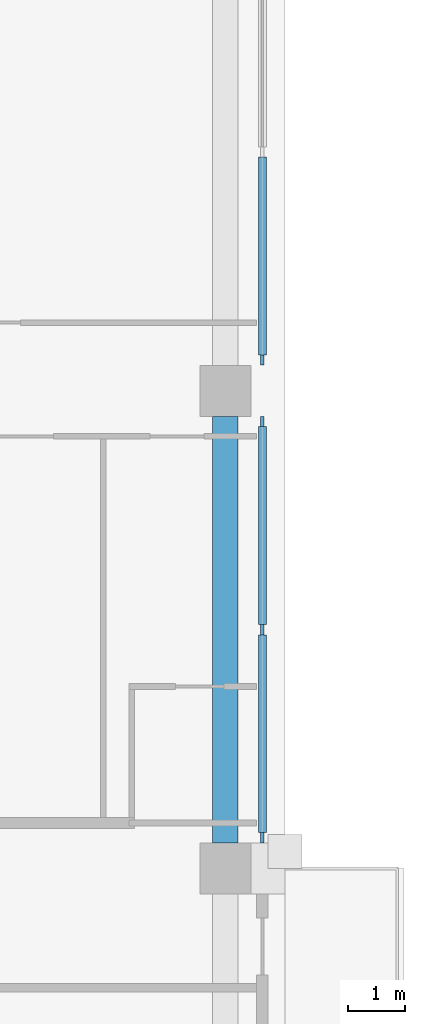
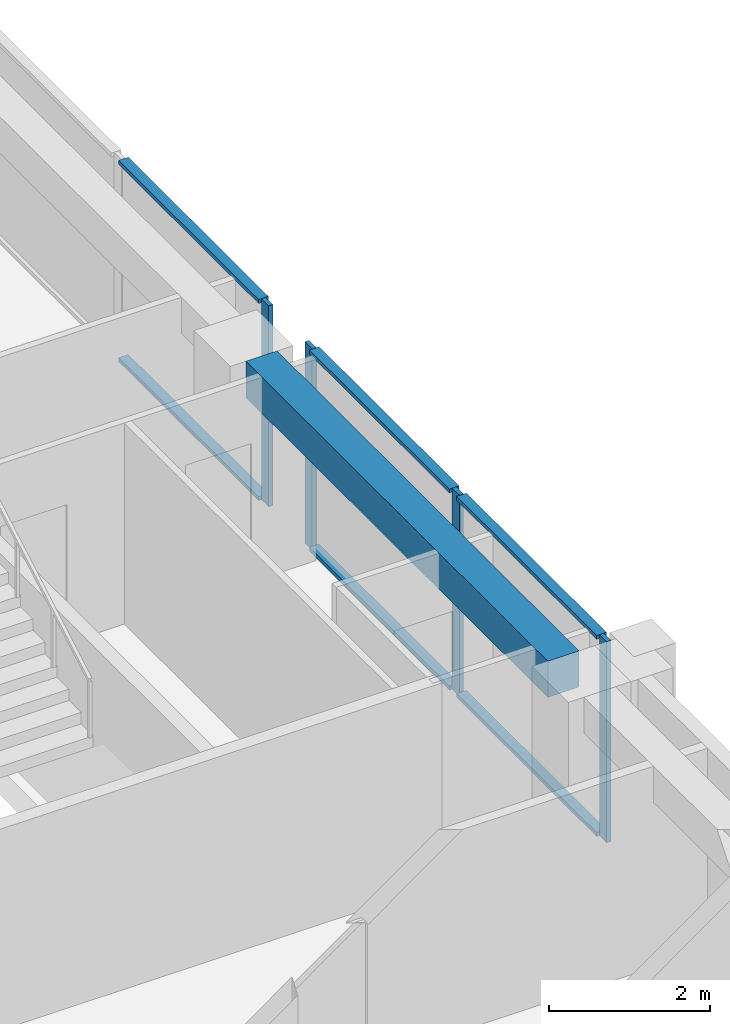
# One storey, part 4 of 17: 10 members, 1 beam, 2 elements without a shape of their own.
"""IFC4 building model written with IfcOpenShell, lengths in metres."""

import ifcopenshell
import ifcopenshell.guid

model = None  # the IFC model being written
_history = None  # IfcOwnerHistory: only IFC2X3 demands one
_inside = {}  # id of a spatial element -> (the spatial element, [elements in it])
_under = {}  # id of a project, library or spatial element -> (it, [spatial elements below it])
_declared = {}  # id of a project -> (the project, [libraries it declares])
_typed = {}  # id of a type object -> (the type object, [elements of that type])
_made_of = {}  # id of a material, layer set ... -> (it, [elements and type objects made of it])


def new_model(schema):
    """Start an empty IFC model of exactly this schema.

    Asked for "IFC4X3", IfcOpenShell would pick the latest addendum, in which some entities
    have other attributes; the version numbers below select the first issue.
    IFC2X3 requires an IfcOwnerHistory on every rooted entity: one is made here for all.
    """
    global model, _history
    if schema == "IFC4X3":
        model = ifcopenshell.file(schema_version=(4, 3, 0, 0))
    else:
        model = ifcopenshell.file(schema=schema)
    _inside.clear()
    _under.clear()
    _declared.clear()
    _typed.clear()
    _made_of.clear()
    _history = None
    if model.schema == "IFC2X3":
        org = make("IfcOrganization", Name="unknown")
        user = make(
            "IfcPersonAndOrganization",
            ThePerson=make("IfcPerson", FamilyName="unknown"),
            TheOrganization=org,
        )
        app = make(
            "IfcApplication",
            ApplicationDeveloper=org,
            Version="unknown",
            ApplicationFullName="unknown",
            ApplicationIdentifier="unknown",
        )
        _history = make(
            "IfcOwnerHistory",
            OwningUser=user,
            OwningApplication=app,
            ChangeAction="ADDED",
            CreationDate=0,
        )
    return model


def make(cls, **values):
    """One entity of the class cls with the attributes given. An attribute that is None is left unset."""
    return model.create_entity(
        cls, **{name: value for name, value in values.items() if value is not None}
    )


def rooted(cls, **values):
    """An entity with a GlobalId (a new one), such as an element, a storey or a relation."""
    return make(cls, GlobalId=ifcopenshell.guid.new(), OwnerHistory=_history, **values)


def si_unit(unit_type, name, prefix=None):
    """IfcSIUnit, for example si_unit("LENGTHUNIT", "METRE", prefix="MILLI")."""
    return make("IfcSIUnit", UnitType=unit_type, Prefix=prefix, Name=name)


def assignment(units):
    """IfcUnitAssignment: the units of a project."""
    return None if units is None else make("IfcUnitAssignment", Units=units)


def point(xyz):
    """IfcCartesianPoint."""
    return None if xyz is None else make("IfcCartesianPoint", Coordinates=xyz)


def direction(xyz):
    """IfcDirection."""
    return None if xyz is None else make("IfcDirection", DirectionRatios=xyz)


def frame(location, z_axis=None, x_axis=None):
    """IfcAxis2Placement3D, a coordinate frame: its origin and axes. An axis left out is left unset."""
    return make(
        "IfcAxis2Placement3D",
        Location=point(location),
        Axis=direction(z_axis),
        RefDirection=direction(x_axis),
    )


def frame_2d(location, x_axis=None):
    """IfcAxis2Placement2D, a coordinate frame in the plane: its origin and x axis."""
    return make(
        "IfcAxis2Placement2D", Location=point(location), RefDirection=direction(x_axis)
    )


def origin():
    """The frame at (0, 0, 0) with its axes left unset."""
    return frame((0.0, 0.0, 0.0))


def origin_2d():
    """The frame at (0, 0) in the plane with its x axis left unset."""
    return frame_2d((0.0, 0.0))


def place(relative_to, where):
    """IfcLocalPlacement: puts the frame where relative to a parent placement (None: the world)."""
    return make(
        "IfcLocalPlacement", PlacementRelTo=relative_to, RelativePlacement=where
    )


def context(
    kind, dimensions, precision=None, world=None, true_north=None, identifier=None
):
    """IfcGeometricRepresentationContext, for example the 3D "Model" context."""
    return make(
        "IfcGeometricRepresentationContext",
        ContextIdentifier=identifier,
        ContextType=kind,
        CoordinateSpaceDimension=dimensions,
        Precision=precision,
        WorldCoordinateSystem=world,
        TrueNorth=true_north,
    )


def subcontext(parent, identifier, kind, view, scale=None):
    """IfcGeometricRepresentationSubContext, for example "Body" below "Model"."""
    return make(
        "IfcGeometricRepresentationSubContext",
        ContextIdentifier=identifier,
        ContextType=kind,
        ParentContext=parent,
        TargetScale=scale,
        TargetView=view,
    )


def project(units=None, contexts=None):
    """IfcProject with its units and contexts."""
    return rooted(
        "IfcProject",
        Name="project",
        RepresentationContexts=contexts,
        UnitsInContext=assignment(units),
    )


def spatial(cls, under=None, at=None, **own):
    """A site, building, storey or space (cls), placed at a placement, below another one or the project."""
    s = rooted(cls, ObjectPlacement=at, **own)
    if under is not None:
        _under.setdefault(under.id(), (under, []))[1].append(s)
    return s


def profile(cls, at=None, kind="AREA", **sizes):
    """A parametric profile (cls). Its sizes go by their IFC names, for example OverallWidth=200.0."""
    return make(cls, ProfileType=kind, Position=at, **sizes)


def rectangle(**sizes):
    """IfcRectangleProfileDef."""
    return profile("IfcRectangleProfileDef", **sizes)


def extrude(swept, where, along, depth):
    """IfcExtrudedAreaSolid: the profile swept, set in the frame where, extruded along a direction by depth."""
    return make(
        "IfcExtrudedAreaSolid",
        SweptArea=swept,
        Position=where,
        ExtrudedDirection=direction(along),
        Depth=depth,
    )


def shape(context_of_items, identifier, shape_type, items):
    """IfcShapeRepresentation: the items that make up one representation, for example the "Body"."""
    return make(
        "IfcShapeRepresentation",
        ContextOfItems=context_of_items,
        RepresentationIdentifier=identifier,
        RepresentationType=shape_type,
        Items=items,
    )


def material(Name=None, Category=None):
    """IfcMaterial."""
    return make("IfcMaterial", Name=Name, Category=Category)


def material_profile(
    of_material, cross_section, Name=None, Category=None, Priority=None
):
    """IfcMaterialProfile: a cross section and its material."""
    return make(
        "IfcMaterialProfile",
        Name=Name,
        Material=of_material,
        Profile=cross_section,
        Priority=Priority,
        Category=Category,
    )


def profile_set(profiles, Name=None, composite=None):
    """IfcMaterialProfileSet."""
    return make(
        "IfcMaterialProfileSet",
        Name=Name,
        MaterialProfiles=profiles,
        CompositeProfile=composite,
    )


def made_of(thing, what):
    """Note that an element or type object is made of a material, layer set ...; save() writes the relation."""
    if what is not None:
        _made_of.setdefault(what.id(), (what, []))[1].append(thing)
    return thing


def type_object(cls, material=None, **own):
    """A type object (cls), such as IfcWallType, which elements share."""
    return made_of(rooted(cls, **own), material)


def element(
    cls,
    number,
    at=None,
    inside=None,
    cuts=None,
    type_object=None,
    material=None,
    context=None,
    identifier="Body",
    shape_type=None,
    held_by="IfcProductDefinitionShape",
    body=None,
    shapes=None,
    **own,
):
    """One element of the class cls, such as IfcWall. Its Tag is "e" and its number.

    at: its placement. inside: the storey or other place that contains it. cuts: it is an
    opening in that element (IfcRelVoidsElement). A single representation is given by context,
    identifier, shape_type and body (its items); several are given by shapes. held_by: the class
    of the entity that holds the representations. save() writes the other relations.
    """
    e = rooted(cls, Tag="e%d" % number, ObjectPlacement=at, **own)
    if body is not None:
        shapes = [shape(context, identifier, shape_type, body)]
    if shapes is not None:
        e.Representation = make(held_by, Representations=shapes)
    if inside is not None:
        _inside.setdefault(inside.id(), (inside, []))[1].append(e)
    if cuts is not None:
        rooted(
            "IfcRelVoidsElement", RelatingBuildingElement=cuts, RelatedOpeningElement=e
        )
    if type_object is not None:
        _typed.setdefault(type_object.id(), (type_object, []))[1].append(e)
    return made_of(e, material)


def aggregate(whole, parts):
    """IfcRelAggregates: a whole, such as a stair, and the parts it consists of."""
    return rooted("IfcRelAggregates", RelatingObject=whole, RelatedObjects=parts)


def save(model, path):
    """Write the relations noted so far, then the file.

    IfcRelAggregates (storeys below a building ...), IfcRelContainedInSpatialStructure (elements
    in a storey), IfcRelDefinesByType, IfcRelAssociatesMaterial and IfcRelDeclares: one each for
    every whole, place, type object, material and project.
    """
    for whole, parts in _under.values():
        aggregate(whole, parts)
    for where, things in _inside.values():
        rooted(
            "IfcRelContainedInSpatialStructure",
            RelatedElements=things,
            RelatingStructure=where,
        )
    for kind, things in _typed.values():
        rooted("IfcRelDefinesByType", RelatedObjects=things, RelatingType=kind)
    for what, things in _made_of.values():
        rooted("IfcRelAssociatesMaterial", RelatedObjects=things, RelatingMaterial=what)
    for by, libraries in _declared.values():
        rooted("IfcRelDeclares", RelatingContext=by, RelatedDefinitions=libraries)
    model.write(path)


model = new_model("IFC4")

# Units and contexts
model_context = context("Model", 3, precision=1e-05, world=origin(), true_north=direction((0.0, 1.0)))
body_context = subcontext(model_context, "Body", "Model", "MODEL_VIEW")
ifc_project = project(units=[si_unit("LENGTHUNIT", "METRE"), si_unit("AREAUNIT", "SQUARE_METRE"), si_unit("VOLUMEUNIT", "CUBIC_METRE"), si_unit("PLANEANGLEUNIT", "RADIAN"), si_unit("MASSUNIT", "GRAM", prefix="KILO")], contexts=[model_context])

# Site, building, storey
site_placement = place(None, origin())
site = spatial("IfcSite", under=ifc_project, at=site_placement, CompositionType="ELEMENT")
building_placement = place(site_placement, origin())
building = spatial("IfcBuilding", under=site, at=building_placement, Name="Vermilion Ogive Tower", CompositionType="ELEMENT")
storey_placement = place(building_placement, frame((0.0, 0.0, 257.949951171875)))
storey = spatial("IfcBuildingStorey", under=building, at=storey_placement, Name="L68", CompositionType="ELEMENT", Elevation=257.949951171875)

# Curtain wall, members
ifc_material_1 = material(Name="Low-iron laminated glazing in aluminium frame", Category="aluminium")
curtain_wall_type = type_object("IfcCurtainWallType", Name="Curtain wall CW7", PredefinedType="NOTDEFINED", material=ifc_material_1)
curtain_wall_1_placement = place(storey_placement, origin())
curtain_wall_1 = element("IfcCurtainWall", 1, at=curtain_wall_1_placement, inside=storey, type_object=curtain_wall_type, Name="Glazed skin E2", PredefinedType="NOTDEFINED")
ifc_material_2 = material(Name="Aluminium mullion", Category="aluminium")
ifc_material_profile_1 = material_profile(ifc_material_2, rectangle(XDim=0.06005859375, YDim=0.179931640625, at=origin_2d()), Name="AL 60x180")
ifc_profile_set_1 = profile_set([ifc_material_profile_1], Name="Aluminium mullion")
member_type_1 = type_object("IfcMemberType", Name="CW7 mullion 60x180", PredefinedType="MULLION", material=ifc_profile_set_1)
member_1_placement = place(storey_placement, frame((25.85009765625, -3.659912109375, 0.0), z_axis=(0.0, 0.0, 1.0), x_axis=(-1.0, 0.0, 0.0)))
member_1 = element("IfcMember", 2, at=member_1_placement, type_object=member_type_1, Name="CW7-E2 mullion 1", PredefinedType="MULLION", context=body_context, shape_type="SweptSolid", body=[
    extrude(rectangle(XDim=0.06005859375, YDim=0.179931640625, at=origin_2d()), origin(), (0.0, 0.0, 1.0), 3.050048828125),
])
member_2_placement = place(storey_placement, frame((25.85009765625, 0.0, 0.0), z_axis=(0.0, 0.0, 1.0), x_axis=(-1.0, 0.0, 0.0)))
member_2 = element("IfcMember", 3, at=member_2_placement, type_object=member_type_1, Name="CW7-E2 mullion 2", PredefinedType="MULLION", context=body_context, shape_type="SweptSolid", body=[
    extrude(rectangle(XDim=0.06005859375, YDim=0.179931640625, at=origin_2d()), origin(), (0.0, 0.0, 1.0), 3.050048828125),
])
member_3_placement = place(storey_placement, frame((25.85009765625, 3.659912109375, 0.0), z_axis=(0.0, 0.0, 1.0), x_axis=(-1.0, 0.0, 0.0)))
member_3 = element("IfcMember", 4, at=member_3_placement, type_object=member_type_1, Name="CW7-E2 mullion 3", PredefinedType="MULLION", context=body_context, shape_type="SweptSolid", body=[
    extrude(rectangle(XDim=0.06005859375, YDim=0.179931640625, at=origin_2d()), origin(), (0.0, 0.0, 1.0), 3.050048828125),
])

# Curtain wall, member
curtain_wall_2_placement = place(storey_placement, origin())
curtain_wall_2 = element("IfcCurtainWall", 5, at=curtain_wall_2_placement, inside=storey, type_object=curtain_wall_type, Name="Glazed skin E3", PredefinedType="NOTDEFINED")
member_4_placement = place(storey_placement, frame((25.85009765625, 4.739990234375, 0.0), z_axis=(0.0, 0.0, 1.0), x_axis=(-1.0, 0.0, 0.0)))
member_4 = element("IfcMember", 6, at=member_4_placement, type_object=member_type_1, Name="CW7-E3 mullion 1", PredefinedType="MULLION", context=body_context, shape_type="SweptSolid", body=[
    extrude(rectangle(XDim=0.06005859375, YDim=0.179931640625, at=origin_2d()), origin(), (0.0, 0.0, 1.0), 3.050048828125),
])

# Member
ifc_material_3 = material(Name="Aluminium transom", Category="aluminium")
ifc_material_profile_2 = material_profile(ifc_material_3, rectangle(XDim=0.139892578125, YDim=0.06005859375, at=origin_2d()), Name="AL 60x140")
ifc_profile_set_2 = profile_set([ifc_material_profile_2], Name="Aluminium transom")
member_type_2 = type_object("IfcMemberType", Name="CW7 transom 60x140", PredefinedType="USERDEFINED", material=ifc_profile_set_2)
member_5_placement = place(storey_placement, frame((25.85009765625, -3.570068359375, 0.030029296875), z_axis=(0.0, 1.0, 0.0), x_axis=(-1.0, 0.0, 0.0)))
member_5 = element("IfcMember", 7, at=member_5_placement, type_object=member_type_2, Name="CW7-E2 transom 1.1", ObjectType="TRANSOM", PredefinedType="USERDEFINED", context=body_context, shape_type="SweptSolid", body=[
    extrude(rectangle(XDim=0.139892578125, YDim=0.06005859375, at=origin_2d()), origin(), (0.0, 0.0, 1.0), 3.47998046875),
])

member_6_placement = place(storey_placement, frame((25.85009765625, -3.570068359375, 3.02001953125), z_axis=(0.0, 1.0, 0.0), x_axis=(-1.0, 0.0, 0.0)))
member_6 = element("IfcMember", 8, at=member_6_placement, type_object=member_type_2, Name="CW7-E2 transom 1.2", ObjectType="TRANSOM", PredefinedType="USERDEFINED", context=body_context, shape_type="SweptSolid", body=[
    extrude(rectangle(XDim=0.139892578125, YDim=0.06005859375, at=origin_2d()), origin(), (0.0, 0.0, 1.0), 3.47998046875),
])

member_7_placement = place(storey_placement, frame((25.85009765625, 0.090087890625, 0.030029296875), z_axis=(0.0, 1.0, 0.0), x_axis=(-1.0, 0.0, 0.0)))
member_7 = element("IfcMember", 9, at=member_7_placement, type_object=member_type_2, Name="CW7-E2 transom 2.1", ObjectType="TRANSOM", PredefinedType="USERDEFINED", context=body_context, shape_type="SweptSolid", body=[
    extrude(rectangle(XDim=0.139892578125, YDim=0.06005859375, at=origin_2d()), origin(), (0.0, 0.0, 1.0), 3.47998046875),
])

member_8_placement = place(storey_placement, frame((25.85009765625, 0.090087890625, 3.02001953125), z_axis=(0.0, 1.0, 0.0), x_axis=(-1.0, 0.0, 0.0)))
member_8 = element("IfcMember", 10, at=member_8_placement, type_object=member_type_2, Name="CW7-E2 transom 2.2", ObjectType="TRANSOM", PredefinedType="USERDEFINED", context=body_context, shape_type="SweptSolid", body=[
    extrude(rectangle(XDim=0.139892578125, YDim=0.06005859375, at=origin_2d()), origin(), (0.0, 0.0, 1.0), 3.47998046875),
])

aggregate(curtain_wall_1, [member_1, member_2, member_3, member_5, member_6, member_7, member_8])

member_9_placement = place(storey_placement, frame((25.85009765625, 4.830078125, 0.030029296875), z_axis=(0.0, 1.0, 0.0), x_axis=(-1.0, 0.0, 0.0)))
member_9 = element("IfcMember", 11, at=member_9_placement, type_object=member_type_2, Name="CW7-E3 transom 1.1", ObjectType="TRANSOM", PredefinedType="USERDEFINED", context=body_context, shape_type="SweptSolid", body=[
    extrude(rectangle(XDim=0.139892578125, YDim=0.06005859375, at=origin_2d()), origin(), (0.0, 0.0, 1.0), 3.47998046875),
])

member_10_placement = place(storey_placement, frame((25.85009765625, 4.830078125, 3.02001953125), z_axis=(0.0, 1.0, 0.0), x_axis=(-1.0, 0.0, 0.0)))
member_10 = element("IfcMember", 12, at=member_10_placement, type_object=member_type_2, Name="CW7-E3 transom 1.2", ObjectType="TRANSOM", PredefinedType="USERDEFINED", context=body_context, shape_type="SweptSolid", body=[
    extrude(rectangle(XDim=0.139892578125, YDim=0.06005859375, at=origin_2d()), origin(), (0.0, 0.0, 1.0), 3.47998046875),
])

aggregate(curtain_wall_2, [member_4, member_9, member_10])

# Beam
ifc_material_4 = material(Name="Concrete B45", Category="concrete")
ifc_material_profile_3 = material_profile(ifc_material_4, rectangle(XDim=0.449951171875, YDim=0.550048828125, at=origin_2d()), Name="450 x 550")
ifc_profile_set_3 = profile_set([ifc_material_profile_3], Name="Concrete B45")
beam_type = type_object("IfcBeamType", Name="Edge beam 450 x 550 B45", PredefinedType="BEAM", material=ifc_profile_set_3)
beam_placement = place(storey_placement, frame((25.199951171875, -3.75, 2.775146484375), z_axis=(0.0, 1.0, 0.0), x_axis=(-1.0, 0.0, 0.0)))
element("IfcBeam", 13, at=beam_placement, inside=storey, type_object=beam_type, Name="L68-EB-8", PredefinedType="BEAM", context=body_context, shape_type="SweptSolid", body=[
    extrude(rectangle(XDim=0.449951171875, YDim=0.550048828125, at=origin_2d()), origin(), (0.0, 0.0, 1.0), 7.5),
])

save(model, "model.ifc")
